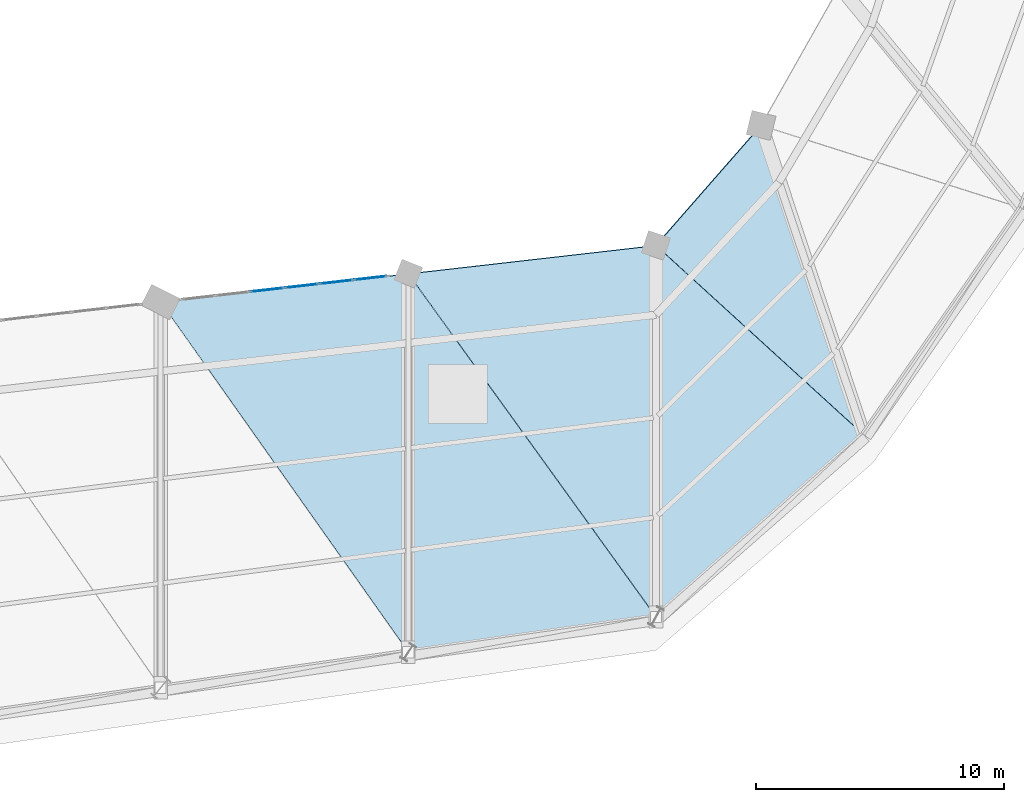
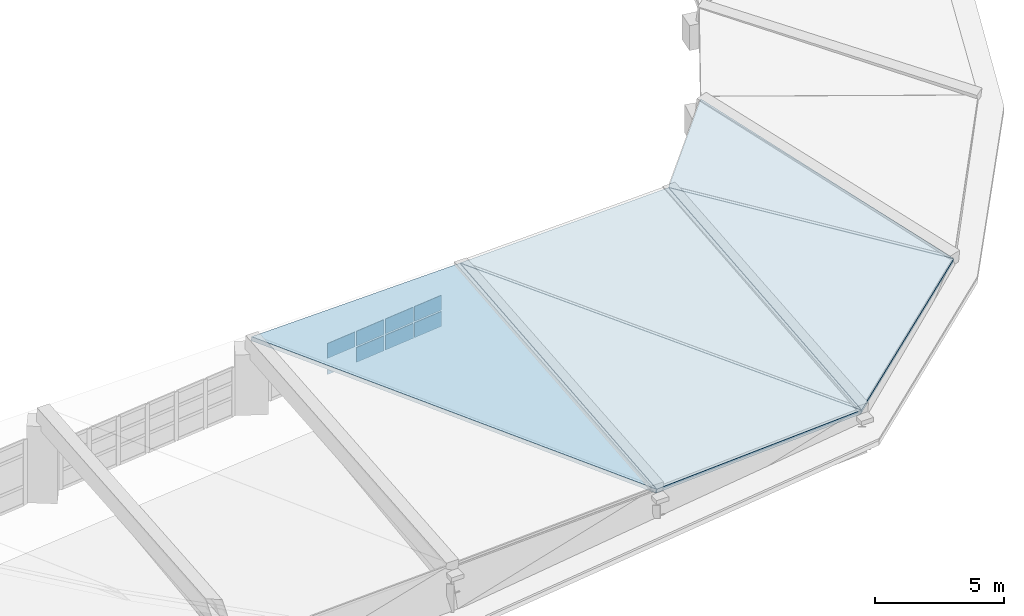
# One storey, part 51 of 67: 8 plates, 5 slabs, 1 element without a shape of its own.
"""IFC4 building model written with IfcOpenShell, lengths in metres."""

from ifc_helpers import new_model, si_unit, direction, frame, origin, origin_2d, place, context, subcontext, project, spatial, polyline, rectangle, outline, extrude, material, layer, layer_set, type_object, element, aggregate, save


model = new_model("IFC4")

# Units and contexts
model_context = context("Model", 3, precision=1e-05, world=origin(), true_north=direction((0.0, 1.0)))
body_context = subcontext(model_context, "Body", "Model", "MODEL_VIEW")
ifc_project = project(units=[si_unit("LENGTHUNIT", "METRE"), si_unit("AREAUNIT", "SQUARE_METRE"), si_unit("VOLUMEUNIT", "CUBIC_METRE"), si_unit("PLANEANGLEUNIT", "RADIAN"), si_unit("MASSUNIT", "GRAM", prefix="KILO")], contexts=[model_context])

# Site, building, storey
site_placement = place(None, origin())
site = spatial("IfcSite", under=ifc_project, at=site_placement, CompositionType="ELEMENT")
building_placement = place(site_placement, origin())
building = spatial("IfcBuilding", under=site, at=building_placement, Name="Sohan Crest Arena", CompositionType="ELEMENT")
storey_placement = place(building_placement, frame((0.0, 0.0, 22.5)))
storey = spatial("IfcBuildingStorey", under=building, at=storey_placement, Name="L05", CompositionType="ELEMENT", Elevation=22.5)

# Curtain wall, plates
ifc_material_1 = material(Name="Thermally broken anodised aluminium", Category="aluminium")
ifc_layer_1 = layer(ifc_material_1, 0.18994140625, Name="Thermally broken anodised aluminium")
ifc_layer_set_1 = layer_set([ifc_layer_1], Name="Thermally broken anodised aluminium")
curtain_wall_type = type_object("IfcCurtainWallType", Name="ARC-CW05", PredefinedType="NOTDEFINED", material=ifc_layer_set_1)
curtain_wall_placement = place(storey_placement, origin())
curtain_wall = element("IfcCurtainWall", 1, at=curtain_wall_placement, inside=storey, type_object=curtain_wall_type, Name="Unitised curtain wall CW-194", PredefinedType="NOTDEFINED")
ifc_material_2 = material(Name="Ceramic-fritted solar-control insulated glass", Category="glass")
ifc_layer_2 = layer(ifc_material_2, 0.035888671875, Name="Ceramic-fritted solar-control insulated glass")
ifc_layer_set_2 = layer_set([ifc_layer_2], Name="Ceramic-fritted solar-control insulated glass")
plate_type = type_object("IfcPlateType", Name="ARC-CNP03", PredefinedType="CURTAIN_PANEL", material=ifc_layer_set_2)
plate_1_placement = place(storey_placement, frame((152.302490234375, 53.205810546875, 0.06494140625), z_axis=(0.0, 0.0, 1.0), x_axis=(0.993526932422, 0.11359680696, 0.0)))
plate_1 = element("IfcPlate", 2, at=plate_1_placement, type_object=plate_type, Name="CW-194 panel 3.1", PredefinedType="CURTAIN_PANEL", context=body_context, shape_type="SweptSolid", body=[
    extrude(rectangle(XDim=1.333984375, YDim=0.035888671875, at=origin_2d()), origin(), (0.0, 0.0, 1.0), 0.70458984375),
])
plate_2_placement = place(storey_placement, frame((152.302490234375, 53.205810546875, 0.83447265625), z_axis=(0.0, 0.0, 1.0), x_axis=(0.993526932422, 0.11359680696, 0.0)))
plate_2 = element("IfcPlate", 3, at=plate_2_placement, type_object=plate_type, Name="CW-194 panel 3.2", PredefinedType="CURTAIN_PANEL", context=body_context, shape_type="SweptSolid", body=[
    extrude(rectangle(XDim=1.333984375, YDim=0.035888671875, at=origin_2d()), origin(), (0.0, 0.0, 1.0), 0.70361328125),
])
plate_3_placement = place(storey_placement, frame((153.697509765625, 53.365234375, 0.06494140625), z_axis=(0.0, 0.0, 1.0), x_axis=(0.993526932422, 0.11359680696, 0.0)))
plate_3 = element("IfcPlate", 4, at=plate_3_placement, type_object=plate_type, Name="CW-194 panel 4.1", PredefinedType="CURTAIN_PANEL", context=body_context, shape_type="SweptSolid", body=[
    extrude(rectangle(XDim=1.333984375, YDim=0.035888671875, at=origin_2d()), origin(), (0.0, 0.0, 1.0), 0.70458984375),
])
plate_4_placement = place(storey_placement, frame((153.697509765625, 53.365234375, 0.83447265625), z_axis=(0.0, 0.0, 1.0), x_axis=(0.993526932422, 0.11359680696, 0.0)))
plate_4 = element("IfcPlate", 5, at=plate_4_placement, type_object=plate_type, Name="CW-194 panel 4.2", PredefinedType="CURTAIN_PANEL", context=body_context, shape_type="SweptSolid", body=[
    extrude(rectangle(XDim=1.333984375, YDim=0.035888671875, at=origin_2d()), origin(), (0.0, 0.0, 1.0), 0.70361328125),
])
plate_5_placement = place(storey_placement, frame((155.092529296875, 53.524658203125, 0.06494140625), z_axis=(0.0, 0.0, 1.0), x_axis=(0.993526932422, 0.11359680696, 0.0)))
plate_5 = element("IfcPlate", 6, at=plate_5_placement, type_object=plate_type, Name="CW-194 panel 5.1", PredefinedType="CURTAIN_PANEL", context=body_context, shape_type="SweptSolid", body=[
    extrude(rectangle(XDim=1.333984375, YDim=0.035888671875, at=origin_2d()), origin(), (0.0, 0.0, 1.0), 0.70458984375),
])
plate_6_placement = place(storey_placement, frame((155.092529296875, 53.524658203125, 0.83447265625), z_axis=(0.0, 0.0, 1.0), x_axis=(0.993526932422, 0.11359680696, 0.0)))
plate_6 = element("IfcPlate", 7, at=plate_6_placement, type_object=plate_type, Name="CW-194 panel 5.2", PredefinedType="CURTAIN_PANEL", context=body_context, shape_type="SweptSolid", body=[
    extrude(rectangle(XDim=1.333984375, YDim=0.035888671875, at=origin_2d()), origin(), (0.0, 0.0, 1.0), 0.70361328125),
])
plate_7_placement = place(storey_placement, frame((156.47021484375, 53.682373046875, 0.06494140625), z_axis=(0.0, 0.0, 1.0), x_axis=(0.993526932422, 0.11359680696, 0.0)))
plate_7 = element("IfcPlate", 8, at=plate_7_placement, type_object=plate_type, Name="CW-194 panel 6.1", PredefinedType="CURTAIN_PANEL", context=body_context, shape_type="SweptSolid", body=[
    extrude(rectangle(XDim=1.299072265625, YDim=0.035888671875, at=origin_2d()), origin(), (0.0, 0.0, 1.0), 0.70458984375),
])
plate_8_placement = place(storey_placement, frame((156.47021484375, 53.682373046875, 0.83447265625), z_axis=(0.0, 0.0, 1.0), x_axis=(0.993526932422, 0.11359680696, 0.0)))
plate_8 = element("IfcPlate", 9, at=plate_8_placement, type_object=plate_type, Name="CW-194 panel 6.2", PredefinedType="CURTAIN_PANEL", context=body_context, shape_type="SweptSolid", body=[
    extrude(rectangle(XDim=1.299072265625, YDim=0.035888671875, at=origin_2d()), origin(), (0.0, 0.0, 1.0), 0.70361328125),
])
aggregate(curtain_wall, [plate_1, plate_2, plate_3, plate_4, plate_5, plate_6, plate_7, plate_8])

# Slabs
ifc_material_3 = material(Name="Concrete C40/50", Category="concrete")
ifc_layer_3 = layer(ifc_material_3, 0.195068359375, Name="Concrete C40/50")
ifc_layer_set_3 = layer_set([ifc_layer_3], Name="Concrete C40/50")
slab_type = type_object("IfcSlabType", Name="SL-RF02", PredefinedType="ROOF", material=ifc_layer_set_3)
slab_1_placement = place(storey_placement, frame((148.012939453125, 52.705078125, 3.388916015625), z_axis=(0.080860728676, -0.094327767611, 0.99225189081), x_axis=(0.572910058567, -0.810228078571, -0.123711460614)))
element("IfcSlab", 10, at=slab_1_placement, inside=storey, type_object=slab_type, Name="Sloped roof deck panel RF-SL-084", PredefinedType="ROOF", context=body_context, shape_type="SweptSolid", body=[
    extrude(outline(polyline([(0.0, 0.0), (17.419803195125237, 2.4528989950312052e-15), (4.880463024839586, 8.807920535595532), (0.0, 0.0)])), origin(), (0.0, 0.0, -1.0), 0.195068359375),
])
slab_2_placement = place(storey_placement, frame((158.007080078125, 53.837890625, 2.68408203125), z_axis=(0.075045071889, -0.094364815688, 0.992705151969), x_axis=(0.0, -0.995512354654, -0.094631663466)))
element("IfcSlab", 11, at=slab_2_placement, inside=storey, type_object=slab_type, Name="Sloped roof deck panel RF-SL-085", PredefinedType="ROOF", context=body_context, shape_type="SweptSolid", body=[
    extrude(outline(polyline([(0.0, 0.0), (15.324630883455967, 0.0), (13.963572192867307, 10.008202169744749), (0.0, 0.0)])), origin(), (0.0, 0.0, -1.0), 0.195068359375),
])
slab_3_placement = place(storey_placement, frame((158.012939453125, 53.84912109375, 2.68408203125), z_axis=(0.072568761965, -0.096151978066, 0.992717770517), x_axis=(0.580907080779, -0.805010624589, -0.120436115015)))
element("IfcSlab", 12, at=slab_3_placement, inside=storey, type_object=slab_type, Name="Sloped roof deck panel RF-SL-086", PredefinedType="ROOF", context=body_context, shape_type="SweptSolid", body=[
    extrude(outline(polyline([(0.0, 0.0), (17.17999452747673, 3.122502256758253e-16), (4.954382575572092, 8.75995397560335), (0.0, 0.0)])), origin(), (0.0, 0.0, -1.0), 0.195068359375),
])
slab_4_placement = place(storey_placement, frame((168.006103515625, 54.985107421875, 2.06494140625), z_axis=(0.11053720959, -0.095813835088, 0.989242758023), x_axis=(0.0, -0.995342228765, -0.096404603814)))
element("IfcSlab", 13, at=slab_4_placement, inside=storey, type_object=slab_type, Name="Sloped roof deck panel RF-SL-087", PredefinedType="ROOF", context=body_context, shape_type="SweptSolid", body=[
    extrude(outline(polyline([(0.0, 0.0), (15.040268975947688, -2.7755575615628914e-17), (7.755952304528496, 8.41754965587609), (0.0, 0.0)])), origin(), (0.0, 0.0, -1.0), 0.195068359375),
])
slab_5_placement = place(storey_placement, frame((168.008056640625, 54.998046875, 2.06494140625), z_axis=(0.13315902646, -0.07084346806, 0.988559495784), x_axis=(0.730949923521, -0.666580431263, -0.146228376051)))
element("IfcSlab", 14, at=slab_5_placement, inside=storey, type_object=slab_type, Name="Sloped roof deck panel RF-SL-088", PredefinedType="ROOF", context=body_context, shape_type="SweptSolid", body=[
    extrude(outline(polyline([(0.0, 0.0), (11.446671092148803, 8.81239525796218e-16), (-0.0953311494667434, 6.431282249821388), (0.0, 0.0)])), origin(), (0.0, 0.0, -1.0), 0.195068359375),
])

save(model, "model.ifc")
